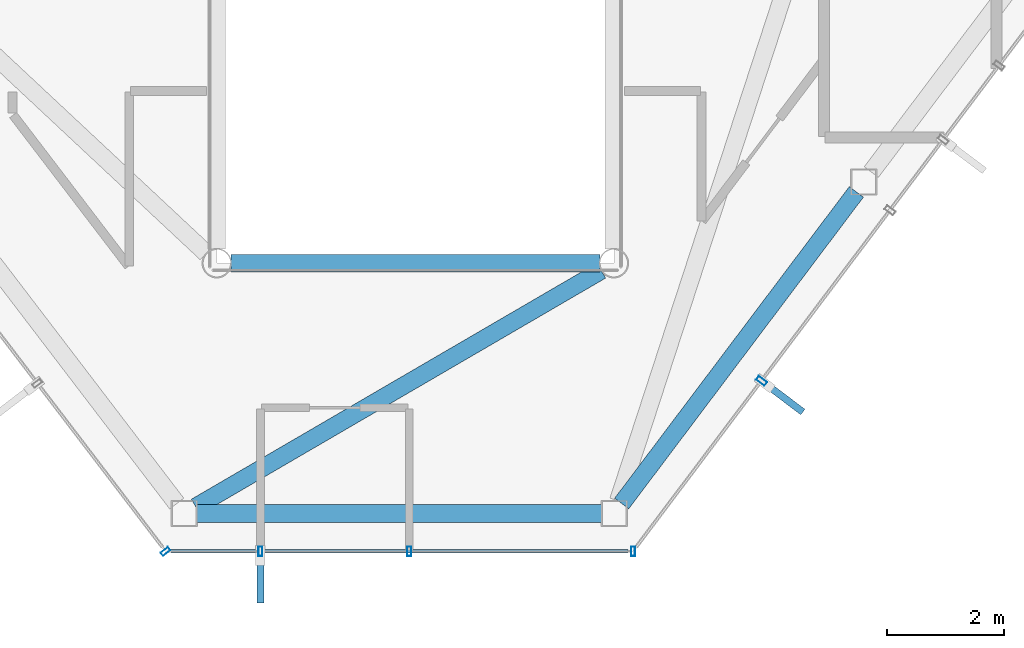
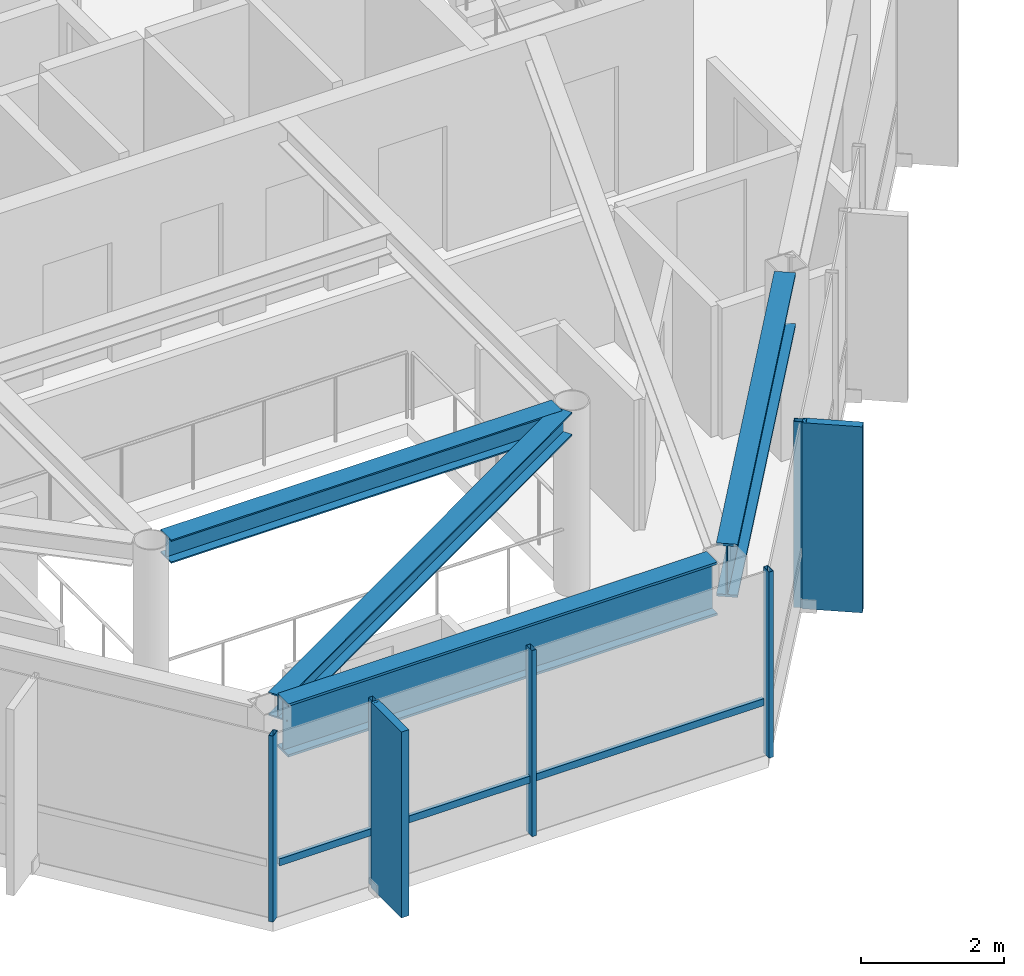
# One storey, part 7 of 22: 8 members, 4 beams, 3 elements without a shape of their own.
"""IFC4 building model written with IfcOpenShell, lengths in metres."""

from ifc_helpers import new_model, si_unit, direction, frame, origin, origin_2d, place, context, subcontext, project, spatial, rectangle, hollow_rectangle, i_section, extrude, material, layer, layer_set, material_profile, profile_set, type_object, element, aggregate, save


model = new_model("IFC4")

# Units and contexts
model_context = context("Model", 3, precision=1e-05, world=origin(), true_north=direction((0.0, 1.0)))
body_context = subcontext(model_context, "Body", "Model", "MODEL_VIEW")
ifc_project = project(units=[si_unit("LENGTHUNIT", "METRE"), si_unit("AREAUNIT", "SQUARE_METRE"), si_unit("VOLUMEUNIT", "CUBIC_METRE"), si_unit("PLANEANGLEUNIT", "RADIAN"), si_unit("MASSUNIT", "GRAM", prefix="KILO")], contexts=[model_context])

# Site, building, storey
site_placement = place(None, origin())
site = spatial("IfcSite", under=ifc_project, at=site_placement, CompositionType="ELEMENT")
building_placement = place(site_placement, origin())
building = spatial("IfcBuilding", under=site, at=building_placement, Name="Zarrinselat Tower", CompositionType="ELEMENT")
storey_placement = place(building_placement, frame((0.0, 0.0, 292.39990234375)))
storey = spatial("IfcBuildingStorey", under=building, at=storey_placement, Name="L75", CompositionType="ELEMENT", Elevation=292.39990234375)

# Beams
ifc_material_1 = material(Name="Steel S355J2", Category="steel")
ifc_material_profile_1 = material_profile(ifc_material_1, i_section(OverallWidth=0.300048828125, OverallDepth=0.39990234375, WebThickness=0.013427734375, FlangeThickness=0.02392578125, at=origin_2d()), Name="HEB 400")
ifc_profile_set_1 = profile_set([ifc_material_profile_1], Name="Steel S355J2")
beam_type_1 = type_object("IfcBeamType", Name="BM-HEB400", PredefinedType="BEAM", material=ifc_profile_set_1)
beam_1_placement = place(storey_placement, frame((35.239990234375, 25.199951171875, 2.97998046875), z_axis=(1.0, 0.0, 0.0), x_axis=(0.0, 1.0, 0.0)))
element("IfcBeam", 1, at=beam_1_placement, inside=storey, type_object=beam_type_1, Name="L75 Atrium Edge Beam S", PredefinedType="BEAM", context=body_context, shape_type="SweptSolid", body=[
    extrude(i_section(OverallWidth=0.300048828125, OverallDepth=0.39990234375, WebThickness=0.013427734375, FlangeThickness=0.02392578125, at=origin_2d()), origin(), (0.0, 0.0, 1.0), 6.320068359375),
])
beam_2_placement = place(storey_placement, frame((34.63916015625, 21.028564453125, 2.97998046875), z_axis=(0.864076215009, 0.503360998345, 0.0), x_axis=(-0.503360998345, 0.864076215009, 0.0)))
element("IfcBeam", 2, at=beam_2_placement, inside=storey, type_object=beam_type_1, Name="L75 Radial Primary Girder RG10", PredefinedType="BEAM", context=body_context, shape_type="SweptSolid", body=[
    extrude(i_section(OverallWidth=0.300048828125, OverallDepth=0.39990234375, WebThickness=0.013427734375, FlangeThickness=0.02392578125, at=origin_2d()), origin(), (0.0, 0.0, 1.0), 8.037353515625),
])
ifc_material_2 = material(Name="Steel S460M", Category="steel")
ifc_material_profile_2 = material_profile(ifc_material_2, i_section(OverallWidth=0.302001953125, OverallDepth=0.909912109375, WebThickness=0.02099609375, FlangeThickness=0.0400390625, at=origin_2d()), Name="HEM 900")
ifc_profile_set_2 = profile_set([ifc_material_profile_2], Name="Steel S460M")
beam_type_2 = type_object("IfcBeamType", Name="BM-HEM900", PredefinedType="BEAM", material=ifc_profile_set_2)
beam_3_placement = place(storey_placement, frame((34.656005859375, 20.914306640625, 2.72509765625), z_axis=(1.0, 0.0, 0.0), x_axis=(0.0, 1.0, 0.0)))
element("IfcBeam", 3, at=beam_3_placement, inside=storey, type_object=beam_type_2, Name="L75 Perimeter Spandrel Girder SP10", PredefinedType="BEAM", context=body_context, shape_type="SweptSolid", body=[
    extrude(i_section(OverallWidth=0.302001953125, OverallDepth=0.909912109375, WebThickness=0.02099609375, FlangeThickness=0.0400390625, at=origin_2d()), origin(), (0.0, 0.0, 1.0), 6.9365234375),
])
beam_4_placement = place(storey_placement, frame((41.933837890625, 21.084228515625, 2.72509765625), z_axis=(0.601641502022, 0.798766238048, 0.0), x_axis=(-0.798766238048, 0.601641502022, 0.0)))
element("IfcBeam", 4, at=beam_4_placement, inside=storey, type_object=beam_type_2, Name="L75 Perimeter Spandrel Girder SP11", PredefinedType="BEAM", context=body_context, shape_type="SweptSolid", body=[
    extrude(i_section(OverallWidth=0.302001953125, OverallDepth=0.909912109375, WebThickness=0.02099609375, FlangeThickness=0.0400390625, at=origin_2d()), origin(), (0.0, 0.0, 1.0), 6.681640625),
])

# Curtain wall, member
ifc_material_3 = material(Name="Extruded Aluminium Alloy EN AW-6063 T6", Category="aluminium")
ifc_layer_1 = layer(ifc_material_3, 0.199951171875)
ifc_layer_set_1 = layer_set([ifc_layer_1], Name="Extruded Aluminium Alloy EN AW-6063 T6")
curtain_wall_type_1 = type_object("IfcCurtainWallType", Name="CWS-BLADE", PredefinedType="NOTDEFINED", material=ifc_layer_set_1)
curtain_wall_1_placement = place(storey_placement, origin())
curtain_wall_1 = element("IfcCurtainWall", 5, at=curtain_wall_1_placement, inside=storey, type_object=curtain_wall_type_1, Name="L75 Unitised Curtain Wall CW-L75-E05", PredefinedType="NOTDEFINED")
ifc_material_4 = material(Name="Extruded Aluminium Alloy EN AW-6063 T6", Category="aluminium")
ifc_material_profile_3 = material_profile(ifc_material_4, hollow_rectangle(XDim=0.080078125, YDim=0.179931640625, WallThickness=0.0048828125, at=origin_2d()), Name="RHS 180x80x5")
ifc_profile_set_3 = profile_set([ifc_material_profile_3], Name="Extruded Aluminium Alloy EN AW-6063 T6")
member_type_1 = type_object("IfcMemberType", Name="MEM-CW-MUL", PredefinedType="MULLION", material=ifc_profile_set_3)
member_1_placement = place(storey_placement, frame((44.32958984375, 23.184326171875, 0.0), z_axis=(0.0, 0.0, 1.0), x_axis=(0.601672649155, 0.798742776655, 0.0)))
member_1 = element("IfcMember", 6, at=member_1_placement, type_object=member_type_1, Name="CW-L75-E05 Mullion 1", PredefinedType="MULLION", context=body_context, shape_type="SweptSolid", body=[
    extrude(hollow_rectangle(XDim=0.080078125, YDim=0.179931640625, WallThickness=0.0048828125, at=origin_2d()), origin(), (0.0, 0.0, 1.0), 3.18017578125),
])

ifc_material_5 = material(Name="Extruded Aluminium Alloy EN AW-6063 T6", Category="aluminium")
ifc_layer_2 = layer(ifc_material_5, 0.169921875)
ifc_layer_set_2 = layer_set([ifc_layer_2], Name="Extruded Aluminium Alloy EN AW-6063 T6")
curtain_wall_type_2 = type_object("IfcCurtainWallType", Name="CWS-RES", PredefinedType="NOTDEFINED", material=ifc_layer_set_2)
curtain_wall_2_placement = place(storey_placement, origin())
curtain_wall_2 = element("IfcCurtainWall", 7, at=curtain_wall_2_placement, inside=storey, type_object=curtain_wall_type_2, Name="L75 Unitised Curtain Wall CW-L75-E03", PredefinedType="NOTDEFINED")
ifc_material_6 = material(Name="Extruded Aluminium Alloy EN AW-6063 T6", Category="aluminium")
ifc_material_profile_4 = material_profile(ifc_material_6, hollow_rectangle(XDim=0.070068359375, YDim=0.159912109375, WallThickness=0.00390625, at=origin_2d()), Name="RHS 160x70x4")
ifc_profile_set_4 = profile_set([ifc_material_profile_4], Name="Extruded Aluminium Alloy EN AW-6063 T6")
member_type_2 = type_object("IfcMemberType", Name="MEM-CW-MUL2", PredefinedType="MULLION", material=ifc_profile_set_4)
member_2_placement = place(storey_placement, frame((34.12158203125, 20.26416015625, 0.0), z_axis=(0.0, 0.0, 1.0), x_axis=(0.606801746242, -0.794853219631, 0.0)))
member_2 = element("IfcMember", 8, at=member_2_placement, type_object=member_type_2, Name="CW-L75-E03 Mullion 10", PredefinedType="MULLION", context=body_context, shape_type="SweptSolid", body=[
    extrude(hollow_rectangle(XDim=0.070068359375, YDim=0.159912109375, WallThickness=0.00390625, at=origin_2d()), origin(), (0.0, 0.0, 1.0), 3.18017578125),
])
aggregate(curtain_wall_2, [member_2])

# Curtain wall, members
curtain_wall_3_placement = place(storey_placement, origin())
curtain_wall_3 = element("IfcCurtainWall", 9, at=curtain_wall_3_placement, inside=storey, type_object=curtain_wall_type_2, Name="L75 Unitised Curtain Wall CW-L75-E04", PredefinedType="NOTDEFINED")
member_3_placement = place(storey_placement, frame((35.74609375, 20.26416015625, 0.0), z_axis=(0.0, 0.0, 1.0), x_axis=(1.0, 0.0, 0.0)))
member_3 = element("IfcMember", 10, at=member_3_placement, type_object=member_type_2, Name="CW-L75-E04 Mullion 1", PredefinedType="MULLION", context=body_context, shape_type="SweptSolid", body=[
    extrude(hollow_rectangle(XDim=0.070068359375, YDim=0.159912109375, WallThickness=0.00390625, at=origin_2d()), origin(), (0.0, 0.0, 1.0), 3.18017578125),
])
member_4_placement = place(storey_placement, frame((38.296142578125, 20.26416015625, 0.0), z_axis=(0.0, 0.0, 1.0), x_axis=(1.0, 0.0, 0.0)))
member_4 = element("IfcMember", 11, at=member_4_placement, type_object=member_type_2, Name="CW-L75-E04 Mullion 2", PredefinedType="MULLION", context=body_context, shape_type="SweptSolid", body=[
    extrude(hollow_rectangle(XDim=0.070068359375, YDim=0.159912109375, WallThickness=0.00390625, at=origin_2d()), origin(), (0.0, 0.0, 1.0), 3.18017578125),
])
member_5_placement = place(storey_placement, frame((42.1298828125, 20.26416015625, 0.0), z_axis=(0.0, 0.0, 1.0), x_axis=(1.0, 0.0, 0.0)))
member_5 = element("IfcMember", 12, at=member_5_placement, type_object=member_type_2, Name="CW-L75-E04 Mullion 3", PredefinedType="MULLION", context=body_context, shape_type="SweptSolid", body=[
    extrude(hollow_rectangle(XDim=0.070068359375, YDim=0.159912109375, WallThickness=0.00390625, at=origin_2d()), origin(), (0.0, 0.0, 1.0), 3.18017578125),
])
ifc_material_7 = material(Name="Extruded Aluminium Alloy EN AW-6063 T6", Category="aluminium")
ifc_material_profile_5 = material_profile(ifc_material_7, hollow_rectangle(XDim=0.06005859375, YDim=0.1201171875, WallThickness=0.00390625, at=origin_2d()), Name="RHS 120x60x4")
ifc_profile_set_5 = profile_set([ifc_material_profile_5], Name="Extruded Aluminium Alloy EN AW-6063 T6")
member_type_3 = type_object("IfcMemberType", Name="MEM-CW-TRN2", PredefinedType="USERDEFINED", material=ifc_profile_set_5)
member_6_placement = place(storey_placement, frame((34.211669921875, 20.26416015625, 0.9501953125), z_axis=(1.0, 0.0, 0.0), x_axis=(0.0, 1.0, 0.0)))
member_6 = element("IfcMember", 13, at=member_6_placement, type_object=member_type_3, Name="CW-L75-E04 Transom 1", ObjectType="TRANSOM", PredefinedType="USERDEFINED", context=body_context, shape_type="SweptSolid", body=[
    extrude(hollow_rectangle(XDim=0.06005859375, YDim=0.1201171875, WallThickness=0.00390625, at=origin_2d()), origin(), (0.0, 0.0, 1.0), 7.828125),
])
ifc_material_8 = material(Name="Honed Cream Travertine Stone", Category="masonry")
ifc_material_profile_6 = material_profile(ifc_material_8, rectangle(XDim=0.1201171875, YDim=0.85009765625, at=origin_2d()), Name="FIN 850x120")
ifc_profile_set_6 = profile_set([ifc_material_profile_6], Name="Honed Cream Travertine Stone")
member_type_4 = type_object("IfcMemberType", Name="MEM-STONE-FIN", PredefinedType="USERDEFINED", material=ifc_profile_set_6)
member_7_placement = place(storey_placement, frame((35.74609375, 19.80419921875, 0.0), z_axis=(0.0, 0.0, 1.0), x_axis=(-1.0, 0.0, 0.0)))
member_7 = element("IfcMember", 14, at=member_7_placement, type_object=member_type_4, Name="L75 Stone Shading Fin CW-L75-E04-01", ObjectType="FIN", PredefinedType="USERDEFINED", context=body_context, shape_type="SweptSolid", body=[
    extrude(rectangle(XDim=0.1201171875, YDim=0.85009765625, at=origin_2d()), origin(), (0.0, 0.0, 1.0), 3.18017578125),
])
aggregate(curtain_wall_3, [member_3, member_7, member_4, member_5, member_6])

# Member
member_8_placement = place(storey_placement, frame((44.697021484375, 22.90771484375, 0.0), z_axis=(0.0, 0.0, 1.0), x_axis=(-0.601672649155, -0.798742776655, 0.0)))
member_8 = element("IfcMember", 15, at=member_8_placement, type_object=member_type_4, Name="L75 Stone Shading Fin CW-L75-E05-01", ObjectType="FIN", PredefinedType="USERDEFINED", context=body_context, shape_type="SweptSolid", body=[
    extrude(rectangle(XDim=0.1201171875, YDim=0.85009765625, at=origin_2d()), origin(), (0.0, 0.0, 1.0), 3.18017578125),
])

aggregate(curtain_wall_1, [member_1, member_8])

save(model, "model.ifc")
